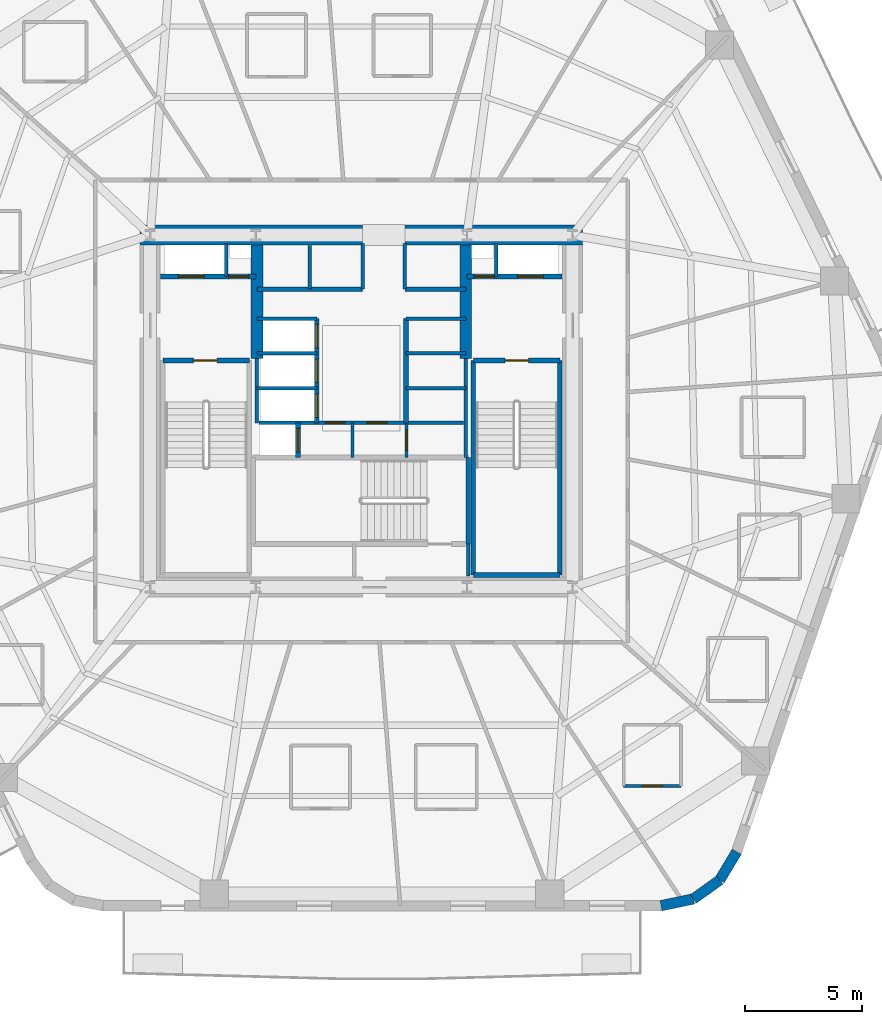
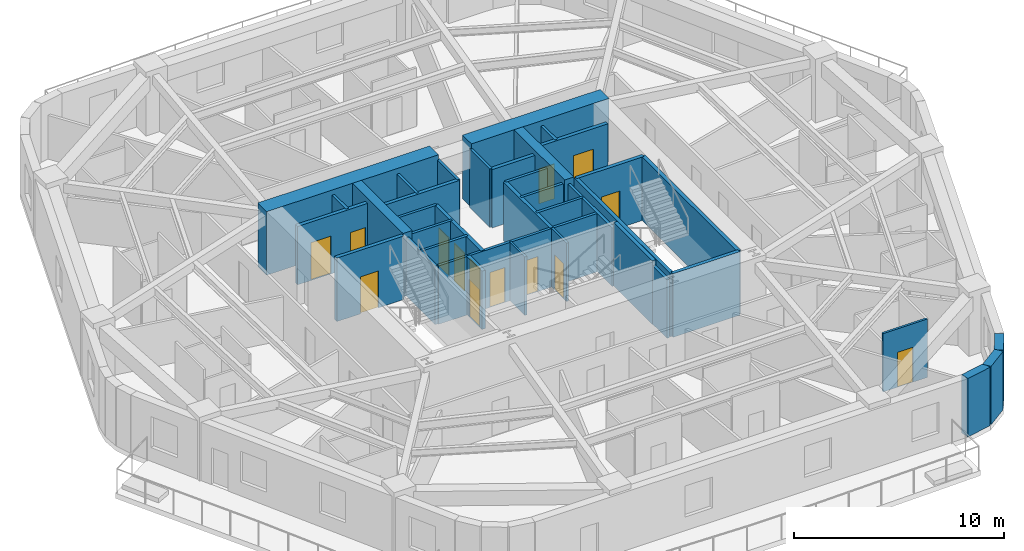
# One storey, part 4 of 10: 38 walls, 14 doors, 14 openings.
"""IFC4 building model written with IfcOpenShell, lengths in metres."""

import ifcopenshell
import ifcopenshell.guid

model = None  # the IFC model being written
_history = None  # IfcOwnerHistory: only IFC2X3 demands one
_inside = {}  # id of a spatial element -> (the spatial element, [elements in it])
_under = {}  # id of a project, library or spatial element -> (it, [spatial elements below it])
_declared = {}  # id of a project -> (the project, [libraries it declares])
_typed = {}  # id of a type object -> (the type object, [elements of that type])
_made_of = {}  # id of a material, layer set ... -> (it, [elements and type objects made of it])


def new_model(schema):
    """Start an empty IFC model of exactly this schema.

    Asked for "IFC4X3", IfcOpenShell would pick the latest addendum, in which some entities
    have other attributes; the version numbers below select the first issue.
    IFC2X3 requires an IfcOwnerHistory on every rooted entity: one is made here for all.
    """
    global model, _history
    if schema == "IFC4X3":
        model = ifcopenshell.file(schema_version=(4, 3, 0, 0))
    else:
        model = ifcopenshell.file(schema=schema)
    _inside.clear()
    _under.clear()
    _declared.clear()
    _typed.clear()
    _made_of.clear()
    _history = None
    if model.schema == "IFC2X3":
        org = make("IfcOrganization", Name="unknown")
        user = make(
            "IfcPersonAndOrganization",
            ThePerson=make("IfcPerson", FamilyName="unknown"),
            TheOrganization=org,
        )
        app = make(
            "IfcApplication",
            ApplicationDeveloper=org,
            Version="unknown",
            ApplicationFullName="unknown",
            ApplicationIdentifier="unknown",
        )
        _history = make(
            "IfcOwnerHistory",
            OwningUser=user,
            OwningApplication=app,
            ChangeAction="ADDED",
            CreationDate=0,
        )
    return model


def make(cls, **values):
    """One entity of the class cls with the attributes given. An attribute that is None is left unset."""
    return model.create_entity(
        cls, **{name: value for name, value in values.items() if value is not None}
    )


def rooted(cls, **values):
    """An entity with a GlobalId (a new one), such as an element, a storey or a relation."""
    return make(cls, GlobalId=ifcopenshell.guid.new(), OwnerHistory=_history, **values)


def si_unit(unit_type, name, prefix=None):
    """IfcSIUnit, for example si_unit("LENGTHUNIT", "METRE", prefix="MILLI")."""
    return make("IfcSIUnit", UnitType=unit_type, Prefix=prefix, Name=name)


def assignment(units):
    """IfcUnitAssignment: the units of a project."""
    return None if units is None else make("IfcUnitAssignment", Units=units)


def point(xyz):
    """IfcCartesianPoint."""
    return None if xyz is None else make("IfcCartesianPoint", Coordinates=xyz)


def direction(xyz):
    """IfcDirection."""
    return None if xyz is None else make("IfcDirection", DirectionRatios=xyz)


def frame(location, z_axis=None, x_axis=None):
    """IfcAxis2Placement3D, a coordinate frame: its origin and axes. An axis left out is left unset."""
    return make(
        "IfcAxis2Placement3D",
        Location=point(location),
        Axis=direction(z_axis),
        RefDirection=direction(x_axis),
    )


def frame_2d(location, x_axis=None):
    """IfcAxis2Placement2D, a coordinate frame in the plane: its origin and x axis."""
    return make(
        "IfcAxis2Placement2D", Location=point(location), RefDirection=direction(x_axis)
    )


def origin():
    """The frame at (0, 0, 0) with its axes left unset."""
    return frame((0.0, 0.0, 0.0))


def place(relative_to, where):
    """IfcLocalPlacement: puts the frame where relative to a parent placement (None: the world)."""
    return make(
        "IfcLocalPlacement", PlacementRelTo=relative_to, RelativePlacement=where
    )


def context(
    kind, dimensions, precision=None, world=None, true_north=None, identifier=None
):
    """IfcGeometricRepresentationContext, for example the 3D "Model" context."""
    return make(
        "IfcGeometricRepresentationContext",
        ContextIdentifier=identifier,
        ContextType=kind,
        CoordinateSpaceDimension=dimensions,
        Precision=precision,
        WorldCoordinateSystem=world,
        TrueNorth=true_north,
    )


def subcontext(parent, identifier, kind, view, scale=None):
    """IfcGeometricRepresentationSubContext, for example "Body" below "Model"."""
    return make(
        "IfcGeometricRepresentationSubContext",
        ContextIdentifier=identifier,
        ContextType=kind,
        ParentContext=parent,
        TargetScale=scale,
        TargetView=view,
    )


def project(units=None, contexts=None):
    """IfcProject with its units and contexts."""
    return rooted(
        "IfcProject",
        Name="project",
        RepresentationContexts=contexts,
        UnitsInContext=assignment(units),
    )


def spatial(cls, under=None, at=None, **own):
    """A site, building, storey or space (cls), placed at a placement, below another one or the project."""
    s = rooted(cls, ObjectPlacement=at, **own)
    if under is not None:
        _under.setdefault(under.id(), (under, []))[1].append(s)
    return s


def profile(cls, at=None, kind="AREA", **sizes):
    """A parametric profile (cls). Its sizes go by their IFC names, for example OverallWidth=200.0."""
    return make(cls, ProfileType=kind, Position=at, **sizes)


def rectangle(**sizes):
    """IfcRectangleProfileDef."""
    return profile("IfcRectangleProfileDef", **sizes)


def extrude(swept, where, along, depth):
    """IfcExtrudedAreaSolid: the profile swept, set in the frame where, extruded along a direction by depth."""
    return make(
        "IfcExtrudedAreaSolid",
        SweptArea=swept,
        Position=where,
        ExtrudedDirection=direction(along),
        Depth=depth,
    )


def shape(context_of_items, identifier, shape_type, items):
    """IfcShapeRepresentation: the items that make up one representation, for example the "Body"."""
    return make(
        "IfcShapeRepresentation",
        ContextOfItems=context_of_items,
        RepresentationIdentifier=identifier,
        RepresentationType=shape_type,
        Items=items,
    )


def material(Name=None, Category=None):
    """IfcMaterial."""
    return make("IfcMaterial", Name=Name, Category=Category)


def layer(
    of_material, thickness, ventilated=None, Name=None, Category=None, Priority=None
):
    """IfcMaterialLayer: one layer of a wall or slab, of a material (None: an air gap)."""
    return make(
        "IfcMaterialLayer",
        Material=of_material,
        LayerThickness=thickness,
        IsVentilated=ventilated,
        Name=Name,
        Category=Category,
        Priority=Priority,
    )


def layer_set(layers, Name=None):
    """IfcMaterialLayerSet."""
    return make("IfcMaterialLayerSet", MaterialLayers=layers, LayerSetName=Name)


def made_of(thing, what):
    """Note that an element or type object is made of a material, layer set ...; save() writes the relation."""
    if what is not None:
        _made_of.setdefault(what.id(), (what, []))[1].append(thing)
    return thing


def type_object(cls, material=None, **own):
    """A type object (cls), such as IfcWallType, which elements share."""
    return made_of(rooted(cls, **own), material)


def element(
    cls,
    number,
    at=None,
    inside=None,
    cuts=None,
    type_object=None,
    material=None,
    context=None,
    identifier="Body",
    shape_type=None,
    held_by="IfcProductDefinitionShape",
    body=None,
    shapes=None,
    **own,
):
    """One element of the class cls, such as IfcWall. Its Tag is "e" and its number.

    at: its placement. inside: the storey or other place that contains it. cuts: it is an
    opening in that element (IfcRelVoidsElement). A single representation is given by context,
    identifier, shape_type and body (its items); several are given by shapes. held_by: the class
    of the entity that holds the representations. save() writes the other relations.
    """
    e = rooted(cls, Tag="e%d" % number, ObjectPlacement=at, **own)
    if body is not None:
        shapes = [shape(context, identifier, shape_type, body)]
    if shapes is not None:
        e.Representation = make(held_by, Representations=shapes)
    if inside is not None:
        _inside.setdefault(inside.id(), (inside, []))[1].append(e)
    if cuts is not None:
        rooted(
            "IfcRelVoidsElement", RelatingBuildingElement=cuts, RelatedOpeningElement=e
        )
    if type_object is not None:
        _typed.setdefault(type_object.id(), (type_object, []))[1].append(e)
    return made_of(e, material)


def fill(opening, filler):
    """IfcRelFillsElement: the door or window that sits in an opening."""
    return rooted(
        "IfcRelFillsElement",
        RelatingOpeningElement=opening,
        RelatedBuildingElement=filler,
    )


def aggregate(whole, parts):
    """IfcRelAggregates: a whole, such as a stair, and the parts it consists of."""
    return rooted("IfcRelAggregates", RelatingObject=whole, RelatedObjects=parts)


def save(model, path):
    """Write the relations noted so far, then the file.

    IfcRelAggregates (storeys below a building ...), IfcRelContainedInSpatialStructure (elements
    in a storey), IfcRelDefinesByType, IfcRelAssociatesMaterial and IfcRelDeclares: one each for
    every whole, place, type object, material and project.
    """
    for whole, parts in _under.values():
        aggregate(whole, parts)
    for where, things in _inside.values():
        rooted(
            "IfcRelContainedInSpatialStructure",
            RelatedElements=things,
            RelatingStructure=where,
        )
    for kind, things in _typed.values():
        rooted("IfcRelDefinesByType", RelatedObjects=things, RelatingType=kind)
    for what, things in _made_of.values():
        rooted("IfcRelAssociatesMaterial", RelatedObjects=things, RelatingMaterial=what)
    for by, libraries in _declared.values():
        rooted("IfcRelDeclares", RelatingContext=by, RelatedDefinitions=libraries)
    model.write(path)


model = new_model("IFC4")

# Units and contexts
model_context = context("Model", 3, precision=1e-05, world=origin(), true_north=direction((0.0, 1.0)))
body_context = subcontext(model_context, "Body", "Model", "MODEL_VIEW")
ifc_project = project(units=[si_unit("LENGTHUNIT", "METRE"), si_unit("AREAUNIT", "SQUARE_METRE"), si_unit("VOLUMEUNIT", "CUBIC_METRE"), si_unit("PLANEANGLEUNIT", "RADIAN"), si_unit("MASSUNIT", "GRAM", prefix="KILO")], contexts=[model_context])

# Site, building, storey
site_placement = place(None, origin())
site = spatial("IfcSite", under=ifc_project, at=site_placement, CompositionType="ELEMENT")
building_placement = place(site_placement, origin())
building = spatial("IfcBuilding", under=site, at=building_placement, Name="Kilnhurst Terrace Hotel", CompositionType="ELEMENT")
storey_placement = place(building_placement, frame((0.0, 0.0, 95.10009765625)))
storey = spatial("IfcBuildingStorey", under=building, at=storey_placement, Name="L22", CompositionType="ELEMENT", Elevation=95.10009765625)

# Walls
ifc_material_1 = material(Name="Precast concrete C40/50", Category="concrete")
ifc_layer_1 = layer(ifc_material_1, 0.449951171875, Name="Precast concrete C40/50")
ifc_layer_set_1 = layer_set([ifc_layer_1], Name="Precast concrete C40/50")
wall_type_1 = type_object("IfcWallType", Name="WL-BRK-450", PredefinedType="SOLIDWALL", material=ifc_layer_set_1)
wall_1_placement = place(storey_placement, frame((12.7705078125, -21.074951171875, 0.0), z_axis=(0.0, 0.0, 1.0), x_axis=(0.97874281988, 0.205091424819, 0.0)))
element("IfcWall", 1, at=wall_1_placement, inside=storey, type_object=wall_type_1, Name="L22 Rounded Corner Brick Wall C2.1", PredefinedType="SOLIDWALL", context=body_context, shape_type="SweptSolid", body=[
    extrude(rectangle(XDim=1.40576171875, YDim=0.449951171875, at=frame_2d((0.702880859375, 0.0))), origin(), (0.0, 0.0, 1.0), 3.39990234375),
])
wall_2_placement = place(storey_placement, frame((14.146484375, -20.78662109375, 0.0), z_axis=(0.0, 0.0, 1.0), x_axis=(0.814162929117, 0.580636482536, 0.0)))
element("IfcWall", 2, at=wall_2_placement, inside=storey, type_object=wall_type_1, Name="L22 Rounded Corner Brick Wall C2.2", PredefinedType="SOLIDWALL", context=body_context, shape_type="SweptSolid", body=[
    extrude(rectangle(XDim=1.382080078125, YDim=0.449951171875, at=frame_2d((0.69091796875, 0.0))), origin(), (0.0, 0.0, 1.0), 3.39990234375),
])
wall_3_placement = place(storey_placement, frame((15.271728515625, -19.984130859375, 0.0), z_axis=(0.0, 0.0, 1.0), x_axis=(0.512579347361, 0.858639862025, 0.0)))
element("IfcWall", 3, at=wall_3_placement, inside=storey, type_object=wall_type_1, Name="L22 Rounded Corner Brick Wall C2.3", PredefinedType="SOLIDWALL", context=body_context, shape_type="SweptSolid", body=[
    extrude(rectangle(XDim=1.406005859375, YDim=0.449951171875, at=frame_2d((0.703125, 0.0))), origin(), (0.0, 0.0, 1.0), 3.39990234375),
])
ifc_material_2 = material(Name="Concrete C80/95", Category="concrete")
ifc_layer_2 = layer(ifc_material_2, 0.85009765625, Name="Concrete C80/95")
ifc_layer_set_2 = layer_set([ifc_layer_2], Name="Concrete C80/95")
wall_type_2 = type_object("IfcWallType", Name="WL-CORE-850", PredefinedType="SHEAR", material=ifc_layer_set_2)
wall_4_placement = place(storey_placement, frame((-9.425048828125, 7.5, 0.0), z_axis=(0.0, 0.0, 1.0), x_axis=(1.0, 0.0, 0.0)))
element("IfcWall", 4, at=wall_4_placement, inside=storey, type_object=wall_type_2, Name="L22 Core North West Shear Wall", PredefinedType="SHEAR", context=body_context, shape_type="SweptSolid", body=[
    extrude(rectangle(XDim=9.47509765625, YDim=0.85009765625, at=frame_2d((4.737548828125, 0.0))), origin(), (0.0, 0.0, 1.0), 3.699951171875),
])
wall_5_placement = place(storey_placement, frame((1.85009765625, 7.5, 0.0), z_axis=(0.0, 0.0, 1.0), x_axis=(1.0, 0.0, 0.0)))
element("IfcWall", 5, at=wall_5_placement, inside=storey, type_object=wall_type_2, Name="L22 Core North East Shear Wall", PredefinedType="SHEAR", context=body_context, shape_type="SweptSolid", body=[
    extrude(rectangle(XDim=7.574951171875, YDim=0.85009765625, at=frame_2d((3.78759765625, 0.0))), origin(), (0.0, 0.0, 1.0), 3.699951171875),
])
ifc_material_3 = material(Name="Concrete C60/75", Category="concrete")
ifc_layer_3 = layer(ifc_material_3, 0.5, Name="Concrete C60/75")
ifc_layer_set_3 = layer_set([ifc_layer_3], Name="Concrete C60/75")
wall_type_3 = type_object("IfcWallType", Name="WL-CORE-WEB-500", PredefinedType="SHEAR", material=ifc_layer_set_3)
for number, where, z_axis, x_axis, name in (
    (6, (-4.449951171875, 2.25, 0.0), (0.0, 0.0, 1.0), (0.0, 1.0, 0.0), "L22 Core Internal West Shear Web"),
    (7, (4.449951171875, 2.25, 0.0), (0.0, 0.0, 1.0), (0.0, 1.0, 0.0), "L22 Core Internal East Shear Web"),
):
    element("IfcWall", number, at=place(storey_placement, frame(where, z_axis=z_axis, x_axis=x_axis)), inside=storey, type_object=wall_type_3, Name=name, PredefinedType="SHEAR", context=body_context, shape_type="SweptSolid", body=[
        extrude(rectangle(XDim=4.824951171875, YDim=0.5, at=frame_2d((2.41259765625, 0.0))), origin(), (0.0, 0.0, 1.0), 3.699951171875),
    ])
ifc_material_4 = material(Name="120 mm Moisture-Resistant Tile-Backed Bathroom Partition")
ifc_layer_4 = layer(ifc_material_4, 0.1201171875, Name="120 mm Moisture-Resistant Tile-Backed Bathroom Partition")
ifc_layer_set_4 = layer_set([ifc_layer_4], Name="120 mm Moisture-Resistant Tile-Backed Bathroom Partition")
wall_type_4 = type_object("IfcWallType", Name="WL-PART-120", PredefinedType="PARTITIONING", material=ifc_layer_set_4)
wall_6_placement = place(storey_placement, frame((-0.3798828125, -1.971923828125, 0.0), z_axis=(0.0, 0.0, 1.0), x_axis=(0.0, 1.0, 0.0)))
element("IfcWall", 8, at=wall_6_placement, inside=storey, type_object=wall_type_4, Name="L22 Interior Wall WL-L22-BOH-C1", PredefinedType="PARTITIONING", context=body_context, shape_type="SweptSolid", body=[
    extrude(rectangle(XDim=1.471923828125, YDim=0.1201171875, at=frame_2d((0.73583984375, 0.0))), origin(), (0.0, 0.0, 1.0), 3.39990234375),
])

# Wall, opening, door
wall_7_placement = place(storey_placement, frame((1.919921875, -1.971923828125, 0.0), z_axis=(0.0, 0.0, 1.0), x_axis=(0.0, 1.0, 0.0)))
wall_7 = element("IfcWall", 9, at=wall_7_placement, inside=storey, type_object=wall_type_4, Name="L22 Interior Wall WL-L22-BOH-C2", PredefinedType="PARTITIONING", context=body_context, shape_type="SweptSolid", body=[
    extrude(rectangle(XDim=1.471923828125, YDim=0.1201171875, at=frame_2d((0.73583984375, 0.0))), origin(), (0.0, 0.0, 1.0), 3.39990234375),
])
opening_1_placement = place(wall_7_placement, frame((0.300048828125, 0.0, 0.0)))
opening_1 = element("IfcOpeningElement", 10, at=opening_1_placement, cuts=wall_7, Name="Opening D-08A", PredefinedType="OPENING", context=body_context, shape_type="SweptSolid", body=[
    extrude(rectangle(XDim=0.85009765625, YDim=2.030029296875, at=frame_2d((0.425048828125, 1.01513671875))), frame((0.0, 0.070068359375, 0.0), z_axis=(0.0, -1.0, 0.0), x_axis=(1.0, 0.0, 0.0)), (0.0, 0.0, 1.0), 0.14013671875),
])
ifc_material_5 = material(Name="Moisture-Resistant Lacquered En-suite Bathroom Door")
door_type_1 = type_object("IfcDoorType", Name="DR-INT-850", OperationType="NOTDEFINED", PredefinedType="DOOR", material=ifc_material_5)
door_1_placement = place(opening_1_placement, origin())
door_1 = element("IfcDoor", 11, at=door_1_placement, inside=storey, type_object=door_type_1, Name="L22 Staff Restroom Door", OperationType="SINGLE_SWING_RIGHT", OverallHeight=2.030029296875, OverallWidth=0.85009765625, PredefinedType="DOOR", context=body_context, shape_type="SweptSolid", body=[
    extrude(rectangle(XDim=0.85009765625, YDim=2.030029296875, at=frame_2d((0.425048828125, 1.01513671875))), frame((0.0, 0.02490234375, 0.0), z_axis=(0.0, -1.0, 0.0), x_axis=(1.0, 0.0, 0.0)), (0.0, 0.0, 1.0), 0.050048828125),
])
fill(opening_1, door_1)

wall_8_placement = place(storey_placement, frame((11.177978515625, -15.97412109375, 0.0), z_axis=(0.0, 0.0, 1.0), x_axis=(1.0, 0.0, 0.0)))
wall_8 = element("IfcWall", 12, at=wall_8_placement, inside=storey, type_object=wall_type_4, Name="L22 Interior Wall WL-L22-BTH-17-1", PredefinedType="PARTITIONING", context=body_context, shape_type="SweptSolid", body=[
    extrude(rectangle(XDim=2.43994140625, YDim=0.1201171875, at=frame_2d((1.219970703125, 0.0))), origin(), (0.0, 0.0, 1.0), 3.39990234375),
])
opening_2_placement = place(wall_8_placement, frame((0.794921875, 0.0, 0.0)))
opening_2 = element("IfcOpeningElement", 13, at=opening_2_placement, cuts=wall_8, Name="Opening D-08A", PredefinedType="OPENING", context=body_context, shape_type="SweptSolid", body=[
    extrude(rectangle(XDim=0.85009765625, YDim=2.030029296875, at=frame_2d((0.425048828125, 1.01513671875))), frame((0.0, 0.070068359375, 0.0), z_axis=(0.0, -1.0, 0.0), x_axis=(1.0, 0.0, 0.0)), (0.0, 0.0, 1.0), 0.14013671875),
])
door_2_placement = place(opening_2_placement, origin())
door_2 = element("IfcDoor", 14, at=door_2_placement, inside=storey, type_object=door_type_1, Name="L22 En-suite Bathroom Door 17", OperationType="SINGLE_SWING_RIGHT", OverallHeight=2.030029296875, OverallWidth=0.85009765625, PredefinedType="DOOR", context=body_context, shape_type="SweptSolid", body=[
    extrude(rectangle(XDim=0.85009765625, YDim=2.030029296875, at=frame_2d((0.425048828125, 1.01513671875))), frame((0.0, 0.02490234375, 0.0), z_axis=(0.0, -1.0, 0.0), x_axis=(1.0, 0.0, 0.0)), (0.0, 0.0, 1.0), 0.050048828125),
])
fill(opening_2, door_2)

# Walls
ifc_material_6 = material(Name="Fire-Rated Gypsum Shaftliner Assembly")
ifc_layer_5 = layer(ifc_material_6, 0.14990234375, Name="Fire-Rated Gypsum Shaftliner Assembly")
ifc_layer_set_5 = layer_set([ifc_layer_5], Name="Fire-Rated Gypsum Shaftliner Assembly")
wall_type_5 = type_object("IfcWallType", Name="WL-SHAFT-150", PredefinedType="PARTITIONING", material=ifc_layer_set_5)
wall_9_placement = place(storey_placement, frame((4.55810546875, -7.02001953125, 0.0), z_axis=(0.0, 0.0, 1.0), x_axis=(0.0, 1.0, 0.0)))
element("IfcWall", 15, at=wall_9_placement, inside=storey, type_object=wall_type_5, Name="L22 Interior Wall WL-L22-ST3-PSGE", PredefinedType="PARTITIONING", context=body_context, shape_type="SweptSolid", body=[
    extrude(rectangle(XDim=1.362060546875, YDim=0.14990234375, at=frame_2d((0.68115234375, 0.0))), origin(), (0.0, 0.0, 1.0), 3.39990234375),
])
for number, where, z_axis, x_axis, name in (
    (16, (-5.75, 5.739990234375, 0.0), (0.0, 0.0, 1.0), (0.0, 1.0, 0.0), "L22 Interior Wall WL-L22-RIS1-DIV"),
    (17, (5.75, 5.739990234375, 0.0), (0.0, 0.0, 1.0), (0.0, 1.0, 0.0), "L22 Interior Wall WL-L22-RIS2-DIV"),
):
    element("IfcWall", number, at=place(storey_placement, frame(where, z_axis=z_axis, x_axis=x_axis)), inside=storey, type_object=wall_type_5, Name=name, PredefinedType="PARTITIONING", context=body_context, shape_type="SweptSolid", body=[
        extrude(rectangle(XDim=1.409912109375, YDim=0.14990234375, at=frame_2d((0.705078125, 0.0))), origin(), (0.0, 0.0, 1.0), 3.39990234375),
    ])
wall_10_placement = place(storey_placement, frame((-2.199951171875, 5.199951171875, 0.0), z_axis=(0.0, 0.0, 1.0), x_axis=(0.0, 1.0, 0.0)))
element("IfcWall", 18, at=wall_10_placement, inside=storey, type_object=wall_type_5, Name="L22 Interior Wall WL-L22-HR-DIV1", PredefinedType="PARTITIONING", context=body_context, shape_type="SweptSolid", body=[
    extrude(rectangle(XDim=1.85009765625, YDim=0.14990234375, at=frame_2d((0.925048828125, 0.0))), origin(), (0.0, 0.0, 1.0), 3.39990234375),
])
for number, where, z_axis, x_axis, name in (
    (19, (0.050048828125, 5.199951171875, 0.0), (0.0, 0.0, 1.0), (0.0, 1.0, 0.0), "L22 Interior Wall WL-L22-HR-PORTAL-W"),
    (20, (1.85009765625, 5.199951171875, 0.0), (0.0, 0.0, 1.0), (0.0, 1.0, 0.0), "L22 Interior Wall WL-L22-HR-PORTAL-E"),
):
    element("IfcWall", number, at=place(storey_placement, frame(where, z_axis=z_axis, x_axis=x_axis)), inside=storey, type_object=wall_type_5, Name=name, PredefinedType="PARTITIONING", context=body_context, shape_type="SweptSolid", body=[
        extrude(rectangle(XDim=1.949951171875, YDim=0.14990234375, at=frame_2d((0.97509765625, 0.0))), origin(), (0.0, 0.0, 1.0), 3.39990234375),
    ])
wall_11_placement = place(storey_placement, frame((-4.449951171875, -0.5, 0.0), z_axis=(0.0, 0.0, 1.0), x_axis=(0.0, 1.0, 0.0)))
element("IfcWall", 21, at=wall_11_placement, inside=storey, type_object=wall_type_5, Name="L22 Interior Wall WL-L22-XLOB-W", PredefinedType="PARTITIONING", context=body_context, shape_type="SweptSolid", body=[
    extrude(rectangle(XDim=2.75, YDim=0.14990234375, at=frame_2d((1.375, 0.0))), origin(), (0.0, 0.0, 1.0), 3.39990234375),
])
wall_12_placement = place(storey_placement, frame((4.449951171875, -1.971923828125, 0.0), z_axis=(0.0, 0.0, 1.0), x_axis=(0.0, 1.0, 0.0)))
element("IfcWall", 22, at=wall_12_placement, inside=storey, type_object=wall_type_5, Name="L22 Interior Wall WL-L22-XLOB-E", PredefinedType="PARTITIONING", context=body_context, shape_type="SweptSolid", body=[
    extrude(rectangle(XDim=4.221923828125, YDim=0.14990234375, at=frame_2d((2.11083984375, 0.0))), origin(), (0.0, 0.0, 1.0), 3.39990234375),
])
for number, where, z_axis, x_axis, name in (
    (23, (-4.449951171875, 3.93994140625, 0.0), (0.0, 0.0, 1.0), (1.0, 0.0, 0.0), "L22 Interior Wall WL-L22-LR-NORTH"),
    (24, (-4.449951171875, 0.97998046875, 0.0), (0.0, 0.0, 1.0), (1.0, 0.0, 0.0), "L22 Interior Wall WL-L22-LR-D1"),
    (25, (-4.449951171875, 2.4599609375, 0.0), (0.0, 0.0, 1.0), (1.0, 0.0, 0.0), "L22 Interior Wall WL-L22-LR-D2"),
    (26, (1.89990234375, 3.93994140625, 0.0), (0.0, 0.0, 1.0), (1.0, 0.0, 0.0), "L22 Interior Wall WL-L22-MR-NORTH"),
    (27, (1.89990234375, 0.97998046875, 0.0), (0.0, 0.0, 1.0), (1.0, 0.0, 0.0), "L22 Interior Wall WL-L22-MR-D1"),
    (28, (1.89990234375, 2.4599609375, 0.0), (0.0, 0.0, 1.0), (1.0, 0.0, 0.0), "L22 Interior Wall WL-L22-MR-D2"),
):
    element("IfcWall", number, at=place(storey_placement, frame(where, z_axis=z_axis, x_axis=x_axis)), inside=storey, type_object=wall_type_5, Name=name, PredefinedType="PARTITIONING", context=body_context, shape_type="SweptSolid", body=[
        extrude(rectangle(XDim=2.550048828125, YDim=0.14990234375, at=frame_2d((1.27490234375, 0.0))), origin(), (0.0, 0.0, 1.0), 3.39990234375),
    ])

# Wall, openings, doors
wall_13_placement = place(storey_placement, frame((-4.360107421875, -0.489990234375, 0.0), z_axis=(0.0, 0.0, 1.0), x_axis=(1.0, 0.0, 0.0)))
wall_13 = element("IfcWall", 29, at=wall_13_placement, inside=storey, type_object=wall_type_5, Name="L22 Interior Wall WL-L22-BOH-N", PredefinedType="PARTITIONING", context=body_context, shape_type="SweptSolid", body=[
    extrude(rectangle(XDim=8.72021484375, YDim=0.14990234375, at=frame_2d((4.360107421875, 0.0))), origin(), (0.0, 0.0, 1.0), 3.39990234375),
])
opening_3_placement = place(wall_13_placement, frame((2.81005859375, 0.0, 0.0)))
opening_3 = element("IfcOpeningElement", 30, at=opening_3_placement, cuts=wall_13, Name="Opening D-60D", PredefinedType="OPENING", context=body_context, shape_type="SweptSolid", body=[
    extrude(rectangle(XDim=0.85009765625, YDim=2.030029296875, at=frame_2d((0.425048828125, 1.01513671875))), frame((0.0, 0.0849609375, 0.0), z_axis=(0.0, -1.0, 0.0), x_axis=(1.0, 0.0, 0.0)), (0.0, 0.0, 1.0), 0.169921875),
])
opening_4_placement = place(wall_13_placement, frame((4.610107421875, 0.0, 0.0)))
opening_4 = element("IfcOpeningElement", 31, at=opening_4_placement, cuts=wall_13, Name="Opening D-60D", PredefinedType="OPENING", context=body_context, shape_type="SweptSolid", body=[
    extrude(rectangle(XDim=0.85009765625, YDim=2.030029296875, at=frame_2d((0.425048828125, 1.01513671875))), frame((0.0, 0.0849609375, 0.0), z_axis=(0.0, -1.0, 0.0), x_axis=(1.0, 0.0, 0.0)), (0.0, 0.0, 1.0), 0.169921875),
])
ifc_material_7 = material(Name="Painted Hollow Metal Steel ASTM A36 Riser Door", Category="steel")
door_type_2 = type_object("IfcDoorType", Name="DR-FD60-850", OperationType="NOTDEFINED", PredefinedType="DOOR", material=ifc_material_7)
door_3_placement = place(opening_3_placement, origin())
door_3 = element("IfcDoor", 32, at=door_3_placement, inside=storey, type_object=door_type_2, Name="L22 Housekeeping Station Door", OperationType="SINGLE_SWING_LEFT", OverallHeight=2.030029296875, OverallWidth=0.85009765625, PredefinedType="DOOR", context=body_context, shape_type="SweptSolid", body=[
    extrude(rectangle(XDim=0.85009765625, YDim=2.030029296875, at=frame_2d((0.425048828125, 1.01513671875))), frame((0.0, 0.02490234375, 0.0), z_axis=(0.0, -1.0, 0.0), x_axis=(1.0, 0.0, 0.0)), (0.0, 0.0, 1.0), 0.050048828125),
])
fill(opening_3, door_3)
door_4_placement = place(opening_4_placement, origin())
door_4 = element("IfcDoor", 33, at=door_4_placement, inside=storey, type_object=door_type_2, Name="L22 Beverage Pantry Door", OperationType="SINGLE_SWING_RIGHT", OverallHeight=2.030029296875, OverallWidth=0.85009765625, PredefinedType="DOOR", context=body_context, shape_type="SweptSolid", body=[
    extrude(rectangle(XDim=0.85009765625, YDim=2.030029296875, at=frame_2d((0.425048828125, 1.01513671875))), frame((0.0, 0.02490234375, 0.0), z_axis=(0.0, -1.0, 0.0), x_axis=(1.0, 0.0, 0.0)), (0.0, 0.0, 1.0), 0.050048828125),
])
fill(opening_4, door_4)

ifc_material_8 = material(Name="Autoclaved Aerated Concrete C30/37 and Gypsum Shaft Assembly", Category="concrete")
ifc_layer_6 = layer(ifc_material_8, 0.199951171875, Name="Autoclaved Aerated Concrete C30/37 and Gypsum Shaft Assembly")
ifc_layer_set_6 = layer_set([ifc_layer_6], Name="Autoclaved Aerated Concrete C30/37 and Gypsum Shaft Assembly")
wall_type_6 = type_object("IfcWallType", Name="WL-SHAFT-200", PredefinedType="PARTITIONING", material=ifc_layer_set_6)
wall_14_placement = place(storey_placement, frame((-8.550048828125, 5.739990234375, 0.0), z_axis=(0.0, 0.0, 1.0), x_axis=(1.0, 0.0, 0.0)))
wall_14 = element("IfcWall", 34, at=wall_14_placement, inside=storey, type_object=wall_type_6, Name="L22 Interior Wall WL-L22-FSAE1-S", PredefinedType="PARTITIONING", context=body_context, shape_type="SweptSolid", body=[
    extrude(rectangle(XDim=4.050048828125, YDim=0.199951171875, at=frame_2d((2.02490234375, 0.0))), origin(), (0.0, 0.0, 1.0), 3.39990234375),
])
opening_5_placement = place(wall_14_placement, frame((0.75, 0.0, 0.0)))
opening_5 = element("IfcOpeningElement", 35, at=opening_5_placement, cuts=wall_14, Name="Opening LD-F1", PredefinedType="OPENING", context=body_context, shape_type="SweptSolid", body=[
    extrude(rectangle(XDim=1.10009765625, YDim=2.199951171875, at=frame_2d((0.550048828125, 1.10009765625))), frame((0.0, 0.10986328125, 0.0), z_axis=(0.0, -1.0, 0.0), x_axis=(1.0, 0.0, 0.0)), (0.0, 0.0, 1.0), 0.219970703125),
])
opening_6_placement = place(wall_14_placement, frame((2.89990234375, 0.0, 0.0)))
opening_6 = element("IfcOpeningElement", 36, at=opening_6_placement, cuts=wall_14, Name="Opening D-60D", PredefinedType="OPENING", context=body_context, shape_type="SweptSolid", body=[
    extrude(rectangle(XDim=0.85009765625, YDim=2.030029296875, at=frame_2d((0.425048828125, 1.01513671875))), frame((0.0, 0.10986328125, 0.0), z_axis=(0.0, -1.0, 0.0), x_axis=(1.0, 0.0, 0.0)), (0.0, 0.0, 1.0), 0.219970703125),
])
door_5_placement = place(opening_6_placement, origin())
door_5 = element("IfcDoor", 37, at=door_5_placement, inside=storey, type_object=door_type_2, Name="L22 Electrical Riser Door", OperationType="SINGLE_SWING_LEFT", OverallHeight=2.030029296875, OverallWidth=0.85009765625, PredefinedType="DOOR", context=body_context, shape_type="SweptSolid", body=[
    extrude(rectangle(XDim=0.85009765625, YDim=2.030029296875, at=frame_2d((0.425048828125, 1.01513671875))), frame((0.0, 0.02490234375, 0.0), z_axis=(0.0, -1.0, 0.0), x_axis=(1.0, 0.0, 0.0)), (0.0, 0.0, 1.0), 0.050048828125),
])
fill(opening_6, door_5)
ifc_material_9 = material(Name="Bronze-Anodized Stainless Steel AISI 316L Sliding Door", Category="steel")
door_type_3 = type_object("IfcDoorType", Name="DR-LIFT-1100", OperationType="NOTDEFINED", PredefinedType="DOOR", material=ifc_material_9)
door_6_placement = place(opening_5_placement, origin())
door_6 = element("IfcDoor", 38, at=door_6_placement, inside=storey, type_object=door_type_3, Name="L22 FSAE-1 Landing Door", OperationType="SLIDING_TO_LEFT", OverallHeight=2.199951171875, OverallWidth=1.10009765625, PredefinedType="DOOR", context=body_context, shape_type="SweptSolid", body=[
    extrude(rectangle(XDim=1.10009765625, YDim=2.199951171875, at=frame_2d((0.550048828125, 1.10009765625))), frame((0.0, 0.02490234375, 0.0), z_axis=(0.0, -1.0, 0.0), x_axis=(1.0, 0.0, 0.0)), (0.0, 0.0, 1.0), 0.050048828125),
])
fill(opening_5, door_6)

wall_15_placement = place(storey_placement, frame((4.5, 5.739990234375, 0.0), z_axis=(0.0, 0.0, 1.0), x_axis=(1.0, 0.0, 0.0)))
wall_15 = element("IfcWall", 39, at=wall_15_placement, inside=storey, type_object=wall_type_6, Name="L22 Interior Wall WL-L22-FSAE2-S", PredefinedType="PARTITIONING", context=body_context, shape_type="SweptSolid", body=[
    extrude(rectangle(XDim=4.050048828125, YDim=0.199951171875, at=frame_2d((2.02490234375, 0.0))), origin(), (0.0, 0.0, 1.0), 3.39990234375),
])
opening_7_placement = place(wall_15_placement, frame((0.300048828125, 0.0, 0.0)))
opening_7 = element("IfcOpeningElement", 40, at=opening_7_placement, cuts=wall_15, Name="Opening D-60D", PredefinedType="OPENING", context=body_context, shape_type="SweptSolid", body=[
    extrude(rectangle(XDim=0.85009765625, YDim=2.030029296875, at=frame_2d((0.425048828125, 1.01513671875))), frame((0.0, 0.10986328125, 0.0), z_axis=(0.0, -1.0, 0.0), x_axis=(1.0, 0.0, 0.0)), (0.0, 0.0, 1.0), 0.219970703125),
])
opening_8_placement = place(wall_15_placement, frame((2.14990234375, 0.0, 0.0)))
opening_8 = element("IfcOpeningElement", 41, at=opening_8_placement, cuts=wall_15, Name="Opening LD-F2", PredefinedType="OPENING", context=body_context, shape_type="SweptSolid", body=[
    extrude(rectangle(XDim=1.10009765625, YDim=2.199951171875, at=frame_2d((0.550048828125, 1.10009765625))), frame((0.0, 0.10986328125, 0.0), z_axis=(0.0, -1.0, 0.0), x_axis=(1.0, 0.0, 0.0)), (0.0, 0.0, 1.0), 0.219970703125),
])
door_7_placement = place(opening_7_placement, origin())
door_7 = element("IfcDoor", 42, at=door_7_placement, inside=storey, type_object=door_type_2, Name="L22 Telecom Riser Door", OperationType="SINGLE_SWING_RIGHT", OverallHeight=2.030029296875, OverallWidth=0.85009765625, PredefinedType="DOOR", context=body_context, shape_type="SweptSolid", body=[
    extrude(rectangle(XDim=0.85009765625, YDim=2.030029296875, at=frame_2d((0.425048828125, 1.01513671875))), frame((0.0, 0.02490234375, 0.0), z_axis=(0.0, -1.0, 0.0), x_axis=(1.0, 0.0, 0.0)), (0.0, 0.0, 1.0), 0.050048828125),
])
fill(opening_7, door_7)
door_8_placement = place(opening_8_placement, origin())
door_8 = element("IfcDoor", 43, at=door_8_placement, inside=storey, type_object=door_type_3, Name="L22 FSAE-2 Landing Door", OperationType="SLIDING_TO_RIGHT", OverallHeight=2.199951171875, OverallWidth=1.10009765625, PredefinedType="DOOR", context=body_context, shape_type="SweptSolid", body=[
    extrude(rectangle(XDim=1.10009765625, YDim=2.199951171875, at=frame_2d((0.550048828125, 1.10009765625))), frame((0.0, 0.02490234375, 0.0), z_axis=(0.0, -1.0, 0.0), x_axis=(1.0, 0.0, 0.0)), (0.0, 0.0, 1.0), 0.050048828125),
])
fill(opening_8, door_8)

# Wall, opening, door
wall_16_placement = place(storey_placement, frame((-2.699951171875, -1.971923828125, 0.0), z_axis=(0.0, 0.0, 1.0), x_axis=(0.0, 1.0, 0.0)))
wall_16 = element("IfcWall", 44, at=wall_16_placement, inside=storey, type_object=wall_type_6, Name="L22 Interior Wall WL-L22-SRV1-E", PredefinedType="PARTITIONING", context=body_context, shape_type="SweptSolid", body=[
    extrude(rectangle(XDim=1.471923828125, YDim=0.199951171875, at=frame_2d((0.73583984375, 0.0))), origin(), (0.0, 0.0, 1.0), 3.39990234375),
])
opening_9_placement = place(wall_16_placement, frame((0.239990234375, 0.0, 0.0)))
opening_9 = element("IfcOpeningElement", 45, at=opening_9_placement, cuts=wall_16, Name="Opening LD-SV", PredefinedType="OPENING", context=body_context, shape_type="SweptSolid", body=[
    extrude(rectangle(XDim=1.0, YDim=2.199951171875, at=frame_2d((0.5, 1.10009765625))), frame((0.0, 0.10986328125, 0.0), z_axis=(0.0, -1.0, 0.0), x_axis=(1.0, 0.0, 0.0)), (0.0, 0.0, 1.0), 0.219970703125),
])
door_type_4 = type_object("IfcDoorType", Name="DR-LIFT-1000", OperationType="NOTDEFINED", PredefinedType="DOOR", material=ifc_material_9)
door_9_placement = place(opening_9_placement, origin())
door_9 = element("IfcDoor", 46, at=door_9_placement, inside=storey, type_object=door_type_4, Name="L22 Service Lift SRV-1 Landing Door", OperationType="SLIDING_TO_LEFT", OverallHeight=2.199951171875, OverallWidth=1.0, PredefinedType="DOOR", context=body_context, shape_type="SweptSolid", body=[
    extrude(rectangle(XDim=1.0, YDim=2.199951171875, at=frame_2d((0.5, 1.10009765625))), frame((0.0, 0.02490234375, 0.0), z_axis=(0.0, -1.0, 0.0), x_axis=(1.0, 0.0, 0.0)), (0.0, 0.0, 1.0), 0.050048828125),
])
fill(opening_9, door_9)

# Walls
wall_17_placement = place(storey_placement, frame((-4.449951171875, 5.199951171875, 0.0), z_axis=(0.0, 0.0, 1.0), x_axis=(1.0, 0.0, 0.0)))
element("IfcWall", 47, at=wall_17_placement, inside=storey, type_object=wall_type_6, Name="L22 Interior Wall WL-L22-HR-SW", PredefinedType="PARTITIONING", context=body_context, shape_type="SweptSolid", body=[
    extrude(rectangle(XDim=4.5, YDim=0.199951171875, at=frame_2d((2.25, 0.0))), origin(), (0.0, 0.0, 1.0), 3.39990234375),
])
wall_18_placement = place(storey_placement, frame((1.85009765625, 5.199951171875, 0.0), z_axis=(0.0, 0.0, 1.0), x_axis=(1.0, 0.0, 0.0)))
element("IfcWall", 48, at=wall_18_placement, inside=storey, type_object=wall_type_6, Name="L22 Interior Wall WL-L22-HR-SE", PredefinedType="PARTITIONING", context=body_context, shape_type="SweptSolid", body=[
    extrude(rectangle(XDim=2.599853515625, YDim=0.199951171875, at=frame_2d((1.2998046875, 0.0))), origin(), (0.0, 0.0, 1.0), 3.39990234375),
])

# Wall, openings, doors
wall_19_placement = place(storey_placement, frame((-1.89990234375, -0.5, 0.0), z_axis=(0.0, 0.0, 1.0), x_axis=(0.0, 1.0, 0.0)))
wall_19 = element("IfcWall", 49, at=wall_19_placement, inside=storey, type_object=wall_type_6, Name="L22 Interior Wall WL-L22-LR-FRONT", PredefinedType="PARTITIONING", context=body_context, shape_type="SweptSolid", body=[
    extrude(rectangle(XDim=4.43994140625, YDim=0.199951171875, at=frame_2d((2.219970703125, 0.0))), origin(), (0.0, 0.0, 1.0), 3.39990234375),
])
opening_10_placement = place(wall_19_placement, frame((0.239990234375, 0.0, 0.0)))
opening_10 = element("IfcOpeningElement", 50, at=opening_10_placement, cuts=wall_19, Name="Opening LD-LR", PredefinedType="OPENING", context=body_context, shape_type="SweptSolid", body=[
    extrude(rectangle(XDim=1.0, YDim=2.199951171875, at=frame_2d((0.5, 1.10009765625))), frame((0.0, 0.10986328125, 0.0), z_axis=(0.0, -1.0, 0.0), x_axis=(1.0, 0.0, 0.0)), (0.0, 0.0, 1.0), 0.219970703125),
])
opening_11_placement = place(wall_19_placement, frame((1.719970703125, 0.0, 0.0)))
opening_11 = element("IfcOpeningElement", 51, at=opening_11_placement, cuts=wall_19, Name="Opening LD-LR", PredefinedType="OPENING", context=body_context, shape_type="SweptSolid", body=[
    extrude(rectangle(XDim=1.0, YDim=2.199951171875, at=frame_2d((0.5, 1.10009765625))), frame((0.0, 0.10986328125, 0.0), z_axis=(0.0, -1.0, 0.0), x_axis=(1.0, 0.0, 0.0)), (0.0, 0.0, 1.0), 0.219970703125),
])
opening_12_placement = place(wall_19_placement, frame((3.199951171875, 0.0, 0.0)))
opening_12 = element("IfcOpeningElement", 52, at=opening_12_placement, cuts=wall_19, Name="Opening LD-LR", PredefinedType="OPENING", context=body_context, shape_type="SweptSolid", body=[
    extrude(rectangle(XDim=1.0, YDim=2.199951171875, at=frame_2d((0.5, 1.10009765625))), frame((0.0, 0.10986328125, 0.0), z_axis=(0.0, -1.0, 0.0), x_axis=(1.0, 0.0, 0.0)), (0.0, 0.0, 1.0), 0.219970703125),
])
door_10_placement = place(opening_10_placement, origin())
door_10 = element("IfcDoor", 53, at=door_10_placement, inside=storey, type_object=door_type_4, Name="L22 Low Rise Lift LR-1 Landing Door", OperationType="SLIDING_TO_LEFT", OverallHeight=2.199951171875, OverallWidth=1.0, PredefinedType="DOOR", context=body_context, shape_type="SweptSolid", body=[
    extrude(rectangle(XDim=1.0, YDim=2.199951171875, at=frame_2d((0.5, 1.10009765625))), frame((0.0, 0.02490234375, 0.0), z_axis=(0.0, -1.0, 0.0), x_axis=(1.0, 0.0, 0.0)), (0.0, 0.0, 1.0), 0.050048828125),
])
fill(opening_10, door_10)
door_11_placement = place(opening_11_placement, origin())
door_11 = element("IfcDoor", 54, at=door_11_placement, inside=storey, type_object=door_type_4, Name="L22 Low Rise Lift LR-2 Landing Door", OperationType="SLIDING_TO_LEFT", OverallHeight=2.199951171875, OverallWidth=1.0, PredefinedType="DOOR", context=body_context, shape_type="SweptSolid", body=[
    extrude(rectangle(XDim=1.0, YDim=2.199951171875, at=frame_2d((0.5, 1.10009765625))), frame((0.0, 0.02490234375, 0.0), z_axis=(0.0, -1.0, 0.0), x_axis=(1.0, 0.0, 0.0)), (0.0, 0.0, 1.0), 0.050048828125),
])
fill(opening_11, door_11)
door_12_placement = place(opening_12_placement, origin())
door_12 = element("IfcDoor", 55, at=door_12_placement, inside=storey, type_object=door_type_4, Name="L22 Low Rise Lift LR-3 Landing Door", OperationType="SLIDING_TO_LEFT", OverallHeight=2.199951171875, OverallWidth=1.0, PredefinedType="DOOR", context=body_context, shape_type="SweptSolid", body=[
    extrude(rectangle(XDim=1.0, YDim=2.199951171875, at=frame_2d((0.5, 1.10009765625))), frame((0.0, 0.02490234375, 0.0), z_axis=(0.0, -1.0, 0.0), x_axis=(1.0, 0.0, 0.0)), (0.0, 0.0, 1.0), 0.050048828125),
])
fill(opening_12, door_12)

# Wall
wall_20_placement = place(storey_placement, frame((1.89990234375, -0.5, 0.0), z_axis=(0.0, 0.0, 1.0), x_axis=(0.0, 1.0, 0.0)))
element("IfcWall", 56, at=wall_20_placement, inside=storey, type_object=wall_type_6, Name="L22 Interior Wall WL-L22-MR-FRONT", PredefinedType="PARTITIONING", context=body_context, shape_type="SweptSolid", body=[
    extrude(rectangle(XDim=4.43994140625, YDim=0.199951171875, at=frame_2d((2.219970703125, 0.0))), origin(), (0.0, 0.0, 1.0), 3.39990234375),
])

# Wall, opening, door
ifc_material_10 = material(Name="Concrete C50/60", Category="concrete")
ifc_layer_7 = layer(ifc_material_10, 0.199951171875, Name="Concrete C50/60")
ifc_layer_set_7 = layer_set([ifc_layer_7], Name="Concrete C50/60")
wall_type_7 = type_object("IfcWallType", Name="WL-STAIR-RC-200", PredefinedType="SHEAR", material=ifc_layer_set_7)
wall_21_placement = place(storey_placement, frame((-8.4580078125, 2.157958984375, 0.0), z_axis=(0.0, 0.0, 1.0), x_axis=(1.0, 0.0, 0.0)))
wall_21 = element("IfcWall", 57, at=wall_21_placement, inside=storey, type_object=wall_type_7, Name="L22 Structural Stair Shaft Wall WL-L22-ST1-N", PredefinedType="SHEAR", context=body_context, shape_type="SweptSolid", body=[
    extrude(rectangle(XDim=3.68603515625, YDim=0.199951171875, at=frame_2d((1.843017578125, 0.0))), origin(), (0.0, 0.0, 1.0), 3.699951171875),
])
opening_13_placement = place(wall_21_placement, frame((1.300048828125, 0.0, 0.0)))
opening_13 = element("IfcOpeningElement", 58, at=opening_13_placement, cuts=wall_21, Name="Opening D-90B", PredefinedType="OPENING", context=body_context, shape_type="SweptSolid", body=[
    extrude(rectangle(XDim=1.0, YDim=2.14990234375, at=frame_2d((0.5, 1.074951171875))), frame((0.0, 0.10986328125, 0.0), z_axis=(0.0, -1.0, 0.0), x_axis=(1.0, 0.0, 0.0)), (0.0, 0.0, 1.0), 0.219970703125),
])
ifc_material_11 = material(Name="Painted Hollow Metal Steel ASTM A36 Fire Door", Category="steel")
door_type_5 = type_object("IfcDoorType", Name="DR-FD90-1000", OperationType="NOTDEFINED", PredefinedType="DOOR", material=ifc_material_11)
door_13_placement = place(opening_13_placement, origin())
door_13 = element("IfcDoor", 59, at=door_13_placement, inside=storey, type_object=door_type_5, Name="L22 Stair ST-1 Door", OperationType="SINGLE_SWING_LEFT", OverallHeight=2.14990234375, OverallWidth=1.0, PredefinedType="DOOR", context=body_context, shape_type="SweptSolid", body=[
    extrude(rectangle(XDim=1.0, YDim=2.14990234375, at=frame_2d((0.5, 1.074951171875))), frame((0.0, 0.02490234375, 0.0), z_axis=(0.0, -1.0, 0.0), x_axis=(1.0, 0.0, 0.0)), (0.0, 0.0, 1.0), 0.050048828125),
])
fill(opening_13, door_13)

# Walls
for number, where, z_axis, x_axis, name in (
    (60, (4.77197265625, -6.985107421875, 0.0), (0.0, 0.0, 1.0), (0.0, 1.0, 0.0), "L22 Structural Stair Shaft Wall WL-L22-ST2-W"),
    (61, (8.4580078125, -6.985107421875, 0.0), (0.0, 0.0, 1.0), (0.0, 1.0, 0.0), "L22 Structural Stair Shaft Wall WL-L22-ST2-E"),
):
    element("IfcWall", number, at=place(storey_placement, frame(where, z_axis=z_axis, x_axis=x_axis)), inside=storey, type_object=wall_type_7, Name=name, PredefinedType="SHEAR", context=body_context, shape_type="SweptSolid", body=[
        extrude(rectangle(XDim=9.14306640625, YDim=0.199951171875, at=frame_2d((4.571533203125, 0.0))), origin(), (0.0, 0.0, 1.0), 3.699951171875),
    ])
wall_22_placement = place(storey_placement, frame((4.77197265625, -6.985107421875, 0.0), z_axis=(0.0, 0.0, 1.0), x_axis=(1.0, 0.0, 0.0)))
element("IfcWall", 62, at=wall_22_placement, inside=storey, type_object=wall_type_7, Name="L22 Structural Stair Shaft Wall WL-L22-ST2-S", PredefinedType="SHEAR", context=body_context, shape_type="SweptSolid", body=[
    extrude(rectangle(XDim=3.68603515625, YDim=0.199951171875, at=frame_2d((1.843017578125, 0.0))), origin(), (0.0, 0.0, 1.0), 3.699951171875),
])

# Wall, opening, door
wall_23_placement = place(storey_placement, frame((4.77197265625, 2.157958984375, 0.0), z_axis=(0.0, 0.0, 1.0), x_axis=(1.0, 0.0, 0.0)))
wall_23 = element("IfcWall", 63, at=wall_23_placement, inside=storey, type_object=wall_type_7, Name="L22 Structural Stair Shaft Wall WL-L22-ST2-N", PredefinedType="SHEAR", context=body_context, shape_type="SweptSolid", body=[
    extrude(rectangle(XDim=3.68603515625, YDim=0.199951171875, at=frame_2d((1.843017578125, 0.0))), origin(), (0.0, 0.0, 1.0), 3.699951171875),
])
opening_14_placement = place(wall_23_placement, frame((1.35009765625, 0.0, 0.0)))
opening_14 = element("IfcOpeningElement", 64, at=opening_14_placement, cuts=wall_23, Name="Opening D-90B", PredefinedType="OPENING", context=body_context, shape_type="SweptSolid", body=[
    extrude(rectangle(XDim=1.0, YDim=2.14990234375, at=frame_2d((0.5, 1.074951171875))), frame((0.0, 0.10986328125, 0.0), z_axis=(0.0, -1.0, 0.0), x_axis=(1.0, 0.0, 0.0)), (0.0, 0.0, 1.0), 0.219970703125),
])
door_14_placement = place(opening_14_placement, origin())
door_14 = element("IfcDoor", 65, at=door_14_placement, inside=storey, type_object=door_type_5, Name="L22 Stair ST-2 Door", OperationType="SINGLE_SWING_RIGHT", OverallHeight=2.14990234375, OverallWidth=1.0, PredefinedType="DOOR", context=body_context, shape_type="SweptSolid", body=[
    extrude(rectangle(XDim=1.0, YDim=2.14990234375, at=frame_2d((0.5, 1.074951171875))), frame((0.0, 0.02490234375, 0.0), z_axis=(0.0, -1.0, 0.0), x_axis=(1.0, 0.0, 0.0)), (0.0, 0.0, 1.0), 0.050048828125),
])
fill(opening_14, door_14)

# Wall
wall_24_placement = place(storey_placement, frame((4.55810546875, -5.657958984375, 0.0), z_axis=(0.0, 0.0, 1.0), x_axis=(0.0, 1.0, 0.0)))
element("IfcWall", 66, at=wall_24_placement, inside=storey, type_object=wall_type_7, Name="L22 Structural Stair Shaft Wall WL-L22-ST3-E", PredefinedType="SHEAR", context=body_context, shape_type="SweptSolid", body=[
    extrude(rectangle(XDim=3.68603515625, YDim=0.199951171875, at=frame_2d((1.843017578125, 0.0))), origin(), (0.0, 0.0, 1.0), 3.699951171875),
])

save(model, "model.ifc")
